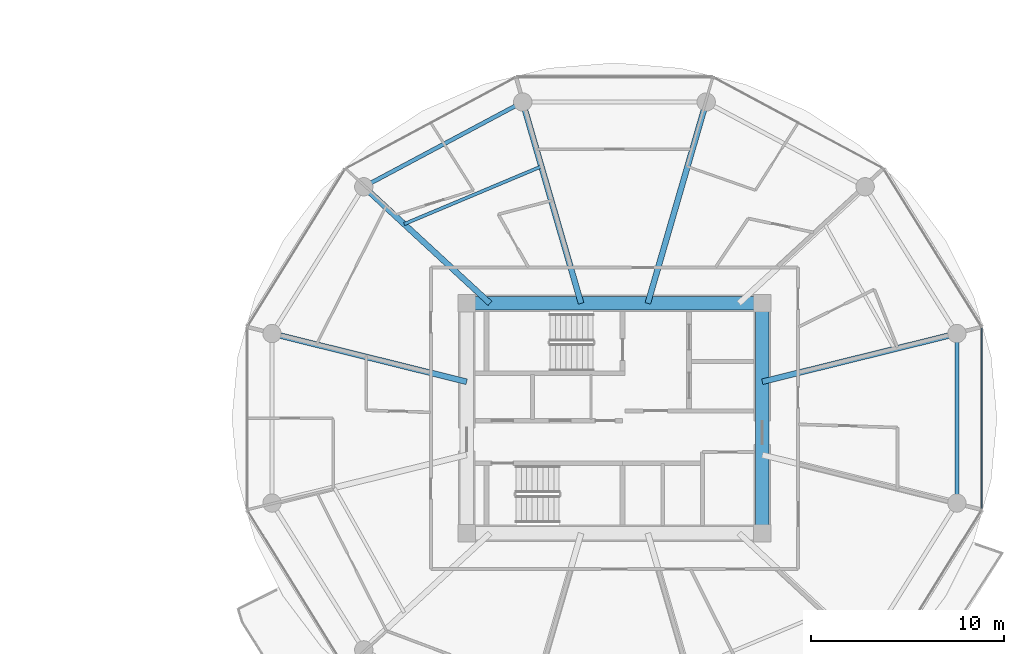
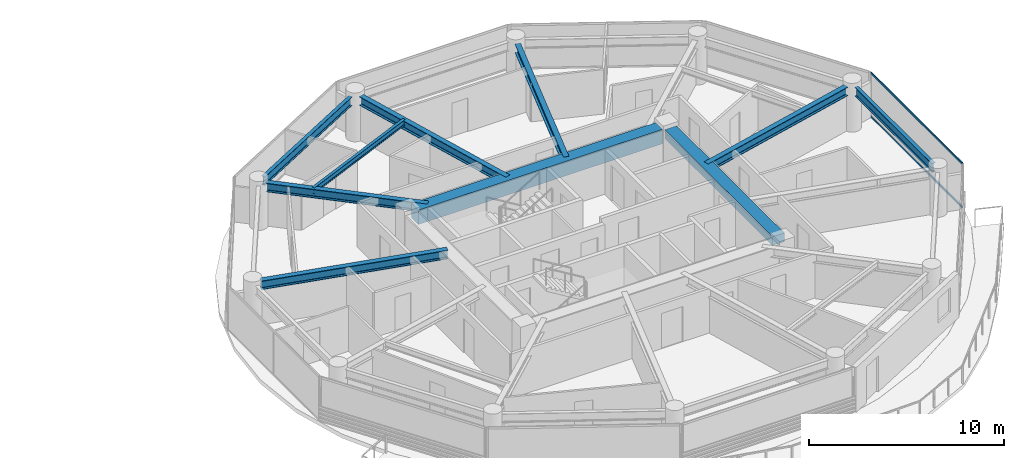
# One storey, part 12 of 26: 10 beams, 2 members, 1 element without a shape of its own.
"""IFC4 building model written with IfcOpenShell, lengths in metres."""

import ifcopenshell
import ifcopenshell.guid

model = None  # the IFC model being written
_history = None  # IfcOwnerHistory: only IFC2X3 demands one
_inside = {}  # id of a spatial element -> (the spatial element, [elements in it])
_under = {}  # id of a project, library or spatial element -> (it, [spatial elements below it])
_declared = {}  # id of a project -> (the project, [libraries it declares])
_typed = {}  # id of a type object -> (the type object, [elements of that type])
_made_of = {}  # id of a material, layer set ... -> (it, [elements and type objects made of it])


def new_model(schema):
    """Start an empty IFC model of exactly this schema.

    Asked for "IFC4X3", IfcOpenShell would pick the latest addendum, in which some entities
    have other attributes; the version numbers below select the first issue.
    IFC2X3 requires an IfcOwnerHistory on every rooted entity: one is made here for all.
    """
    global model, _history
    if schema == "IFC4X3":
        model = ifcopenshell.file(schema_version=(4, 3, 0, 0))
    else:
        model = ifcopenshell.file(schema=schema)
    _inside.clear()
    _under.clear()
    _declared.clear()
    _typed.clear()
    _made_of.clear()
    _history = None
    if model.schema == "IFC2X3":
        org = make("IfcOrganization", Name="unknown")
        user = make(
            "IfcPersonAndOrganization",
            ThePerson=make("IfcPerson", FamilyName="unknown"),
            TheOrganization=org,
        )
        app = make(
            "IfcApplication",
            ApplicationDeveloper=org,
            Version="unknown",
            ApplicationFullName="unknown",
            ApplicationIdentifier="unknown",
        )
        _history = make(
            "IfcOwnerHistory",
            OwningUser=user,
            OwningApplication=app,
            ChangeAction="ADDED",
            CreationDate=0,
        )
    return model


def make(cls, **values):
    """One entity of the class cls with the attributes given. An attribute that is None is left unset."""
    return model.create_entity(
        cls, **{name: value for name, value in values.items() if value is not None}
    )


def rooted(cls, **values):
    """An entity with a GlobalId (a new one), such as an element, a storey or a relation."""
    return make(cls, GlobalId=ifcopenshell.guid.new(), OwnerHistory=_history, **values)


def si_unit(unit_type, name, prefix=None):
    """IfcSIUnit, for example si_unit("LENGTHUNIT", "METRE", prefix="MILLI")."""
    return make("IfcSIUnit", UnitType=unit_type, Prefix=prefix, Name=name)


def assignment(units):
    """IfcUnitAssignment: the units of a project."""
    return None if units is None else make("IfcUnitAssignment", Units=units)


def point(xyz):
    """IfcCartesianPoint."""
    return None if xyz is None else make("IfcCartesianPoint", Coordinates=xyz)


def direction(xyz):
    """IfcDirection."""
    return None if xyz is None else make("IfcDirection", DirectionRatios=xyz)


def frame(location, z_axis=None, x_axis=None):
    """IfcAxis2Placement3D, a coordinate frame: its origin and axes. An axis left out is left unset."""
    return make(
        "IfcAxis2Placement3D",
        Location=point(location),
        Axis=direction(z_axis),
        RefDirection=direction(x_axis),
    )


def frame_2d(location, x_axis=None):
    """IfcAxis2Placement2D, a coordinate frame in the plane: its origin and x axis."""
    return make(
        "IfcAxis2Placement2D", Location=point(location), RefDirection=direction(x_axis)
    )


def origin():
    """The frame at (0, 0, 0) with its axes left unset."""
    return frame((0.0, 0.0, 0.0))


def origin_2d():
    """The frame at (0, 0) in the plane with its x axis left unset."""
    return frame_2d((0.0, 0.0))


def place(relative_to, where):
    """IfcLocalPlacement: puts the frame where relative to a parent placement (None: the world)."""
    return make(
        "IfcLocalPlacement", PlacementRelTo=relative_to, RelativePlacement=where
    )


def context(
    kind, dimensions, precision=None, world=None, true_north=None, identifier=None
):
    """IfcGeometricRepresentationContext, for example the 3D "Model" context."""
    return make(
        "IfcGeometricRepresentationContext",
        ContextIdentifier=identifier,
        ContextType=kind,
        CoordinateSpaceDimension=dimensions,
        Precision=precision,
        WorldCoordinateSystem=world,
        TrueNorth=true_north,
    )


def subcontext(parent, identifier, kind, view, scale=None):
    """IfcGeometricRepresentationSubContext, for example "Body" below "Model"."""
    return make(
        "IfcGeometricRepresentationSubContext",
        ContextIdentifier=identifier,
        ContextType=kind,
        ParentContext=parent,
        TargetScale=scale,
        TargetView=view,
    )


def project(units=None, contexts=None):
    """IfcProject with its units and contexts."""
    return rooted(
        "IfcProject",
        Name="project",
        RepresentationContexts=contexts,
        UnitsInContext=assignment(units),
    )


def spatial(cls, under=None, at=None, **own):
    """A site, building, storey or space (cls), placed at a placement, below another one or the project."""
    s = rooted(cls, ObjectPlacement=at, **own)
    if under is not None:
        _under.setdefault(under.id(), (under, []))[1].append(s)
    return s


def profile(cls, at=None, kind="AREA", **sizes):
    """A parametric profile (cls). Its sizes go by their IFC names, for example OverallWidth=200.0."""
    return make(cls, ProfileType=kind, Position=at, **sizes)


def rectangle(**sizes):
    """IfcRectangleProfileDef."""
    return profile("IfcRectangleProfileDef", **sizes)


def i_section(**sizes):
    """IfcIShapeProfileDef."""
    return profile("IfcIShapeProfileDef", **sizes)


def extrude(swept, where, along, depth):
    """IfcExtrudedAreaSolid: the profile swept, set in the frame where, extruded along a direction by depth."""
    return make(
        "IfcExtrudedAreaSolid",
        SweptArea=swept,
        Position=where,
        ExtrudedDirection=direction(along),
        Depth=depth,
    )


def shape(context_of_items, identifier, shape_type, items):
    """IfcShapeRepresentation: the items that make up one representation, for example the "Body"."""
    return make(
        "IfcShapeRepresentation",
        ContextOfItems=context_of_items,
        RepresentationIdentifier=identifier,
        RepresentationType=shape_type,
        Items=items,
    )


def source(mapping_origin, context_of_items, identifier, shape_type, items):
    """IfcRepresentationMap: a shape defined once, which mapped items show again and again."""
    return make(
        "IfcRepresentationMap",
        MappingOrigin=mapping_origin,
        MappedRepresentation=shape(context_of_items, identifier, shape_type, items),
    )


def transform(
    local_origin,
    x_axis=None,
    y_axis=None,
    z_axis=None,
    scale=None,
    scale2=None,
    scale3=None,
    uniform=True,
):
    """IfcCartesianTransformationOperator3D, or its non-uniform kind. x_axis, y_axis, z_axis: its Axis1, 2, 3."""
    if uniform:
        return make(
            "IfcCartesianTransformationOperator3D",
            Axis1=direction(x_axis),
            Axis2=direction(y_axis),
            LocalOrigin=point(local_origin),
            Scale=scale,
            Axis3=direction(z_axis),
        )
    return make(
        "IfcCartesianTransformationOperator3DnonUniform",
        Axis1=direction(x_axis),
        Axis2=direction(y_axis),
        LocalOrigin=point(local_origin),
        Scale=scale,
        Axis3=direction(z_axis),
        Scale2=scale2,
        Scale3=scale3,
    )


def mapped(mapping_source, mapping_target):
    """IfcMappedItem: shows the shape of a source again, moved by a transform."""
    return make(
        "IfcMappedItem", MappingSource=mapping_source, MappingTarget=mapping_target
    )


def material(Name=None, Category=None):
    """IfcMaterial."""
    return make("IfcMaterial", Name=Name, Category=Category)


def layer(
    of_material, thickness, ventilated=None, Name=None, Category=None, Priority=None
):
    """IfcMaterialLayer: one layer of a wall or slab, of a material (None: an air gap)."""
    return make(
        "IfcMaterialLayer",
        Material=of_material,
        LayerThickness=thickness,
        IsVentilated=ventilated,
        Name=Name,
        Category=Category,
        Priority=Priority,
    )


def layer_set(layers, Name=None):
    """IfcMaterialLayerSet."""
    return make("IfcMaterialLayerSet", MaterialLayers=layers, LayerSetName=Name)


def material_profile(
    of_material, cross_section, Name=None, Category=None, Priority=None
):
    """IfcMaterialProfile: a cross section and its material."""
    return make(
        "IfcMaterialProfile",
        Name=Name,
        Material=of_material,
        Profile=cross_section,
        Priority=Priority,
        Category=Category,
    )


def profile_set(profiles, Name=None, composite=None):
    """IfcMaterialProfileSet."""
    return make(
        "IfcMaterialProfileSet",
        Name=Name,
        MaterialProfiles=profiles,
        CompositeProfile=composite,
    )


def made_of(thing, what):
    """Note that an element or type object is made of a material, layer set ...; save() writes the relation."""
    if what is not None:
        _made_of.setdefault(what.id(), (what, []))[1].append(thing)
    return thing


def type_object(cls, material=None, **own):
    """A type object (cls), such as IfcWallType, which elements share."""
    return made_of(rooted(cls, **own), material)


def type_shapes(of_type, sources):
    """Give a type object the sources (RepresentationMaps) that its elements show as mapped items."""
    of_type.RepresentationMaps = sources


def element(
    cls,
    number,
    at=None,
    inside=None,
    cuts=None,
    type_object=None,
    material=None,
    context=None,
    identifier="Body",
    shape_type=None,
    held_by="IfcProductDefinitionShape",
    body=None,
    shapes=None,
    **own,
):
    """One element of the class cls, such as IfcWall. Its Tag is "e" and its number.

    at: its placement. inside: the storey or other place that contains it. cuts: it is an
    opening in that element (IfcRelVoidsElement). A single representation is given by context,
    identifier, shape_type and body (its items); several are given by shapes. held_by: the class
    of the entity that holds the representations. save() writes the other relations.
    """
    e = rooted(cls, Tag="e%d" % number, ObjectPlacement=at, **own)
    if body is not None:
        shapes = [shape(context, identifier, shape_type, body)]
    if shapes is not None:
        e.Representation = make(held_by, Representations=shapes)
    if inside is not None:
        _inside.setdefault(inside.id(), (inside, []))[1].append(e)
    if cuts is not None:
        rooted(
            "IfcRelVoidsElement", RelatingBuildingElement=cuts, RelatedOpeningElement=e
        )
    if type_object is not None:
        _typed.setdefault(type_object.id(), (type_object, []))[1].append(e)
    return made_of(e, material)


def aggregate(whole, parts):
    """IfcRelAggregates: a whole, such as a stair, and the parts it consists of."""
    return rooted("IfcRelAggregates", RelatingObject=whole, RelatedObjects=parts)


def save(model, path):
    """Write the relations noted so far, then the file.

    IfcRelAggregates (storeys below a building ...), IfcRelContainedInSpatialStructure (elements
    in a storey), IfcRelDefinesByType, IfcRelAssociatesMaterial and IfcRelDeclares: one each for
    every whole, place, type object, material and project.
    """
    for whole, parts in _under.values():
        aggregate(whole, parts)
    for where, things in _inside.values():
        rooted(
            "IfcRelContainedInSpatialStructure",
            RelatedElements=things,
            RelatingStructure=where,
        )
    for kind, things in _typed.values():
        rooted("IfcRelDefinesByType", RelatedObjects=things, RelatingType=kind)
    for what, things in _made_of.values():
        rooted("IfcRelAssociatesMaterial", RelatedObjects=things, RelatingMaterial=what)
    for by, libraries in _declared.values():
        rooted("IfcRelDeclares", RelatingContext=by, RelatedDefinitions=libraries)
    model.write(path)


model = new_model("IFC4")

# Units and contexts
model_context = context("Model", 3, precision=1e-05, world=origin(), true_north=direction((0.0, 1.0)))
body_context = subcontext(model_context, "Body", "Model", "MODEL_VIEW")
ifc_project = project(units=[si_unit("LENGTHUNIT", "METRE"), si_unit("AREAUNIT", "SQUARE_METRE"), si_unit("VOLUMEUNIT", "CUBIC_METRE"), si_unit("PLANEANGLEUNIT", "RADIAN"), si_unit("MASSUNIT", "GRAM", prefix="KILO")], contexts=[model_context])

# Site, building, storey
site_placement = place(None, origin())
site = spatial("IfcSite", under=ifc_project, at=site_placement, CompositionType="ELEMENT")
building_placement = place(site_placement, origin())
building = spatial("IfcBuilding", under=site, at=building_placement, Name="Norrkilde Senior Care Towers", CompositionType="ELEMENT")
storey_placement = place(building_placement, frame((0.0, 0.0, 24.64990234375)))
storey = spatial("IfcBuildingStorey", under=building, at=storey_placement, Name="L06", CompositionType="ELEMENT", Elevation=24.64990234375)

# Beams
ifc_material_1 = material(Name="Concrete C60/75", Category="concrete")
ifc_material_profile_1 = material_profile(ifc_material_1, rectangle(XDim=0.699951171875, YDim=0.89990234375, at=origin_2d()), Name="RC BM 700x900")
ifc_profile_set_1 = profile_set([ifc_material_profile_1], Name="Concrete C60/75")
beam_type_1 = type_object("IfcBeamType", Name="Core Coupling Girder 700x900", PredefinedType="USERDEFINED", material=ifc_profile_set_1)
shared_shape_1 = source(origin(), body_context, "Body", "SweptSolid", [
    extrude(rectangle(XDim=0.699951171875, YDim=0.89990234375, at=origin_2d()), origin(), (0.0, 0.0, 1.0), 14.43994140625),
])
type_shapes(beam_type_1, [shared_shape_1])
beam_1_placement = place(storey_placement, frame((20.780029296875, 5.949951171875, 2.340087890625), z_axis=(1.0, 0.0, 0.0), x_axis=(0.0, 1.0, 0.0)))
element("IfcBeam", 1, at=beam_1_placement, inside=storey, type_object=beam_type_1, Name="L06 Core E N Coupling Girder", ObjectType="GIRDER", PredefinedType="USERDEFINED", context=body_context, shape_type="MappedRepresentation", body=[
    mapped(shared_shape_1, transform((0.0, 0.0, 0.0), x_axis=(1.0, 0.0, 0.0), y_axis=(0.0, 1.0, 0.0), z_axis=(0.0, 0.0, 1.0), scale=1.0)),
])
ifc_material_profile_2 = material_profile(ifc_material_1, rectangle(XDim=0.699951171875, YDim=0.550048828125, at=origin_2d()), Name="RC BM 700x550")
ifc_profile_set_2 = profile_set([ifc_material_profile_2], Name="Concrete C60/75")
beam_type_2 = type_object("IfcBeamType", Name="Core Portal Coupling Beam 700x550", PredefinedType="USERDEFINED", material=ifc_profile_set_2)
shared_shape_2 = source(origin(), body_context, "Body", "SweptSolid", [
    extrude(rectangle(XDim=0.699951171875, YDim=0.550048828125, at=origin_2d()), origin(), (0.0, 0.0, 1.0), 11.0400390625),
])
type_shapes(beam_type_2, [shared_shape_2])
beam_2_placement = place(storey_placement, frame((35.64990234375, -5.52001953125, 2.51513671875), z_axis=(0.0, 1.0, 0.0), x_axis=(-1.0, 0.0, 0.0)))
element("IfcBeam", 2, at=beam_2_placement, inside=storey, type_object=beam_type_2, Name="L06 Core E E Coupling Girder", ObjectType="GIRDER", PredefinedType="USERDEFINED", context=body_context, shape_type="MappedRepresentation", body=[
    mapped(shared_shape_2, transform((0.0, 0.0, 0.0), x_axis=(1.0, 0.0, 0.0), y_axis=(0.0, 1.0, 0.0), z_axis=(0.0, 0.0, 1.0), scale=1.0)),
])
ifc_material_2 = material(Name="Steel S355", Category="steel")
ifc_material_profile_3 = material_profile(ifc_material_2, i_section(OverallWidth=0.300048828125, OverallDepth=0.550048828125, WebThickness=0.014892578125, FlangeThickness=0.029052734375, FilletRadius=0.027099609375, at=origin_2d()), Name="HEB 550")
ifc_profile_set_3 = profile_set([ifc_material_profile_3], Name="Steel S355")
beam_type_3 = type_object("IfcBeamType", Name="Radial Floor Beam Z1 HEB550", PredefinedType="BEAM", material=ifc_profile_set_3)
shared_shape_3 = source(origin(), body_context, "Body", "SweptSolid", [
    extrude(i_section(OverallWidth=0.300048828125, OverallDepth=0.550048828125, WebThickness=0.014892578125, FlangeThickness=0.029052734375, FilletRadius=0.027099609375, at=origin_2d()), origin(), (0.0, 0.0, 1.0), 9.94384765625),
])
for number, where, z_axis, x_axis, name in (
    (3, (35.64990234375, 1.893310546875, 2.51513671875), (0.970707425182, 0.240264634718, 0.0), (-0.240264634718, 0.970707425182, 0.0), "L06 Drum E Radial Floor Beam 01"),
    (4, (20.35009765625, 1.893310546875, 2.51513671875), (-0.970707425182, 0.240264634718, 0.0), (-0.240264634718, -0.970707425182, 0.0), "L06 Drum E Radial Floor Beam 06"),
):
    element("IfcBeam", number, at=place(storey_placement, frame(where, z_axis=z_axis, x_axis=x_axis)), inside=storey, type_object=beam_type_3, Name=name, PredefinedType="BEAM", context=body_context, shape_type="MappedRepresentation", body=[
        mapped(shared_shape_3, transform((0.0, 0.0, 0.0), x_axis=(1.0, 0.0, 0.0), y_axis=(0.0, 1.0, 0.0), z_axis=(0.0, 0.0, 1.0), scale=1.0)),
    ])
ifc_material_profile_4 = material_profile(ifc_material_2, i_section(OverallWidth=0.2099609375, OverallDepth=0.550048828125, WebThickness=0.010986328125, FlangeThickness=0.01708984375, FilletRadius=0.02392578125, at=origin_2d()), Name="IPE 550")
ifc_profile_set_4 = profile_set([ifc_material_profile_4], Name="Steel S355")
beam_type_4 = type_object("IfcBeamType", Name="Perimeter Ring Spandrel Z1 IPE550", PredefinedType="SPANDREL", material=ifc_profile_set_4)
shared_shape_4 = source(origin(), body_context, "Body", "SweptSolid", [
    extrude(i_section(OverallWidth=0.2099609375, OverallDepth=0.550048828125, WebThickness=0.010986328125, FlangeThickness=0.01708984375, FilletRadius=0.02392578125, at=origin_2d()), origin(), (0.0, 0.0, 1.0), 8.452880859375),
])
beam_3_placement = place(storey_placement, frame((22.866943359375, 16.167724609375, 2.51513671875), z_axis=(-0.882368931134, -0.470558252898, 0.0), x_axis=(0.470558252898, -0.882368931134, 0.0)))
element("IfcBeam", 5, at=beam_3_placement, inside=storey, type_object=beam_type_4, Name="L06 Drum E Perimeter Spandrel 04", PredefinedType="SPANDREL", context=body_context, shape_type="MappedRepresentation", body=[
    mapped(shared_shape_4, transform((0.0, 0.0, 0.0), x_axis=(1.0, 0.0, 0.0), y_axis=(0.0, 1.0, 0.0), z_axis=(0.0, 0.0, 1.0), scale=1.0)),
])
shared_shape_5 = source(origin(), body_context, "Body", "SweptSolid", [
    extrude(i_section(OverallWidth=0.300048828125, OverallDepth=0.550048828125, WebThickness=0.014892578125, FlangeThickness=0.029052734375, FilletRadius=0.027099609375, at=origin_2d()), origin(), (0.0, 0.0, 1.0), 8.459716796875),
])
beam_4_placement = place(storey_placement, frame((21.55859375, 5.949951171875, 2.51513671875), z_axis=(-0.734573269108, 0.678529374686, 0.0), x_axis=(-0.678529374686, -0.734573269108, 0.0)))
element("IfcBeam", 6, at=beam_4_placement, inside=storey, type_object=beam_type_3, Name="L06 Drum E Radial Floor Beam 05", PredefinedType="BEAM", context=body_context, shape_type="MappedRepresentation", body=[
    mapped(shared_shape_5, transform((0.0, 0.0, 0.0), x_axis=(1.0, 0.0, 0.0), y_axis=(0.0, 1.0, 0.0), z_axis=(0.0, 0.0, 1.0), scale=1.0)),
])
shared_shape_6 = source(origin(), body_context, "Body", "SweptSolid", [
    extrude(i_section(OverallWidth=0.300048828125, OverallDepth=0.550048828125, WebThickness=0.014892578125, FlangeThickness=0.029052734375, FilletRadius=0.027099609375, at=origin_2d()), origin(), (0.0, 0.0, 1.0), 10.4169921875),
])
type_shapes(beam_type_3, [shared_shape_3, shared_shape_5, shared_shape_6])
for number, where, z_axis, x_axis, name in (
    (7, (29.72607421875, 5.949951171875, 2.51513671875), (0.278591250785, 0.960409764104, 0.0), (-0.960409764104, 0.278591250785, 0.0), "L06 Drum E Radial Floor Beam 03"),
    (8, (26.27392578125, 5.949951171875, 2.51513671875), (-0.278591250785, 0.960409764104, 0.0), (-0.960409764104, -0.278591250785, 0.0), "L06 Drum E Radial Floor Beam 04"),
):
    element("IfcBeam", number, at=place(storey_placement, frame(where, z_axis=z_axis, x_axis=x_axis)), inside=storey, type_object=beam_type_3, Name=name, PredefinedType="BEAM", context=body_context, shape_type="MappedRepresentation", body=[
        mapped(shared_shape_6, transform((0.0, 0.0, 0.0), x_axis=(1.0, 0.0, 0.0), y_axis=(0.0, 1.0, 0.0), z_axis=(0.0, 0.0, 1.0), scale=1.0)),
    ])
shared_shape_7 = source(origin(), body_context, "Body", "SweptSolid", [
    extrude(i_section(OverallWidth=0.2099609375, OverallDepth=0.550048828125, WebThickness=0.010986328125, FlangeThickness=0.01708984375, FilletRadius=0.02392578125, at=origin_2d()), origin(), (0.0, 0.0, 1.0), 7.90380859375),
])
type_shapes(beam_type_4, [shared_shape_4, shared_shape_7])
beam_5_placement = place(storey_placement, frame((45.724853515625, -3.951904296875, 2.51513671875), z_axis=(0.0, 1.0, 0.0), x_axis=(-1.0, 0.0, 0.0)))
element("IfcBeam", 9, at=beam_5_placement, inside=storey, type_object=beam_type_4, Name="L06 Drum E Perimeter Spandrel 12", PredefinedType="SPANDREL", context=body_context, shape_type="MappedRepresentation", body=[
    mapped(shared_shape_7, transform((0.0, 0.0, 0.0), x_axis=(1.0, 0.0, 0.0), y_axis=(0.0, 1.0, 0.0), z_axis=(0.0, 0.0, 1.0), scale=1.0)),
])
ifc_material_profile_5 = material_profile(ifc_material_2, i_section(OverallWidth=0.169921875, OverallDepth=0.360107421875, WebThickness=0.008056640625, FlangeThickness=0.0126953125, FilletRadius=0.01806640625, at=origin_2d()), Name="IPE 360")
ifc_profile_set_5 = profile_set([ifc_material_profile_5], Name="Steel S355")
beam_type_5 = type_object("IfcBeamType", Name="Secondary Floor Joist IPE360", PredefinedType="JOIST", material=ifc_profile_set_5)
shared_shape_8 = source(origin(), body_context, "Body", "SweptSolid", [
    extrude(i_section(OverallWidth=0.169921875, OverallDepth=0.360107421875, WebThickness=0.008056640625, FlangeThickness=0.0126953125, FilletRadius=0.01806640625, at=origin_2d()), origin(), (0.0, 0.0, 1.0), 7.703857421875),
])
type_shapes(beam_type_5, [shared_shape_8])
beam_6_placement = place(storey_placement, frame((24.21826171875, 13.037353515625, 2.610107421875), z_axis=(-0.921982784465, -0.387230868023, 0.0), x_axis=(0.387230868023, -0.921982784465, 0.0)))
element("IfcBeam", 10, at=beam_6_placement, inside=storey, type_object=beam_type_5, Name="L06 Drum E Secondary Floor Joist 2", PredefinedType="JOIST", context=body_context, shape_type="MappedRepresentation", body=[
    mapped(shared_shape_8, transform((0.0, 0.0, 0.0), x_axis=(1.0, 0.0, 0.0), y_axis=(0.0, 1.0, 0.0), z_axis=(0.0, 0.0, 1.0), scale=1.0)),
])

# Curtain wall, members
ifc_material_3 = material(Name="Triple Low-E Insulated Glazing", Category="glass")
ifc_layer = layer(ifc_material_3, 0.199951171875)
ifc_layer_set = layer_set([ifc_layer], Name="Triple Low-E Insulated Glazing")
curtain_wall_type = type_object("IfcCurtainWallType", Name="CW2 Zone 1 Memory Care Curtain Wall", PredefinedType="NOTDEFINED", material=ifc_layer_set)
curtain_wall_placement = place(storey_placement, origin())
curtain_wall = element("IfcCurtainWall", 11, at=curtain_wall_placement, inside=storey, type_object=curtain_wall_type, Name="L06 Drum E Curtain Wall 11", PredefinedType="NOTDEFINED")
ifc_material_4 = material(Name="Anodised Aluminium", Category="aluminium")
ifc_material_profile_6 = material_profile(ifc_material_4, rectangle(XDim=0.06005859375, YDim=0.1201171875, at=origin_2d()), Name="ALU TRAN 60x120")
ifc_profile_set_6 = profile_set([ifc_material_profile_6], Name="Anodised Aluminium")
member_type = type_object("IfcMemberType", Name="Curtain Wall Transom Typical 60x120", PredefinedType="USERDEFINED", material=ifc_profile_set_6)
shared_shape_9 = source(origin(), body_context, "Body", "SweptSolid", [
    extrude(rectangle(XDim=0.06005859375, YDim=0.1201171875, at=origin_2d()), origin(), (0.0, 0.0, 1.0), 9.33251953125),
])
type_shapes(member_type, [shared_shape_9])
member_1_placement = place(storey_placement, frame((47.009521484375, 4.666259765625, 0.030029296875), z_axis=(0.0, -1.0, 0.0), x_axis=(1.0, 0.0, 0.0)))
member_1 = element("IfcMember", 12, at=member_1_placement, type_object=member_type, Name="CW-2 transom 1.1", ObjectType="TRANSOM", PredefinedType="USERDEFINED", context=body_context, shape_type="MappedRepresentation", body=[
    mapped(shared_shape_9, transform((0.0, 0.0, 0.0), x_axis=(1.0, 0.0, 0.0), y_axis=(0.0, 1.0, 0.0), z_axis=(0.0, 0.0, 1.0), scale=1.0)),
])
member_2_placement = place(storey_placement, frame((47.009521484375, 4.666259765625, 2.760009765625), z_axis=(0.0, -1.0, 0.0), x_axis=(1.0, 0.0, 0.0)))
member_2 = element("IfcMember", 13, at=member_2_placement, type_object=member_type, Name="CW-2 transom 1.2", ObjectType="TRANSOM", PredefinedType="USERDEFINED", context=body_context, shape_type="MappedRepresentation", body=[
    mapped(shared_shape_9, transform((0.0, 0.0, 0.0), x_axis=(1.0, 0.0, 0.0), y_axis=(0.0, 1.0, 0.0), z_axis=(0.0, 0.0, 1.0), scale=1.0)),
])
aggregate(curtain_wall, [member_1, member_2])

save(model, "model.ifc")
